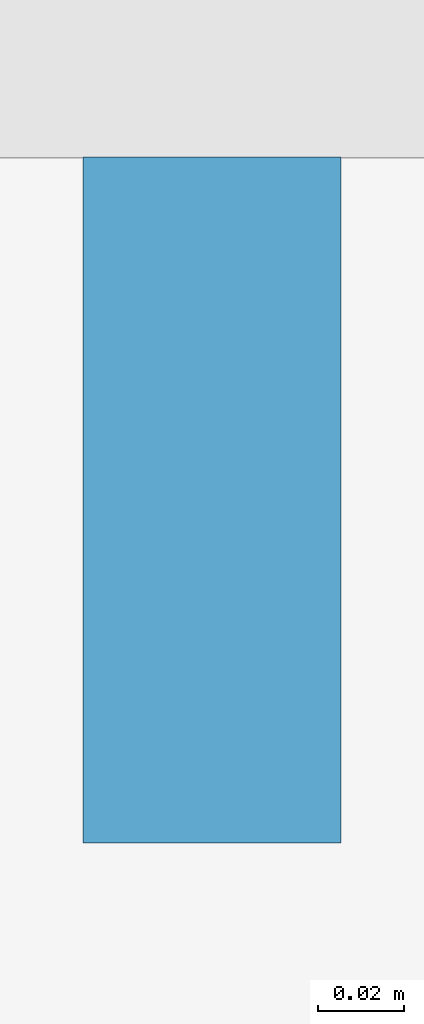
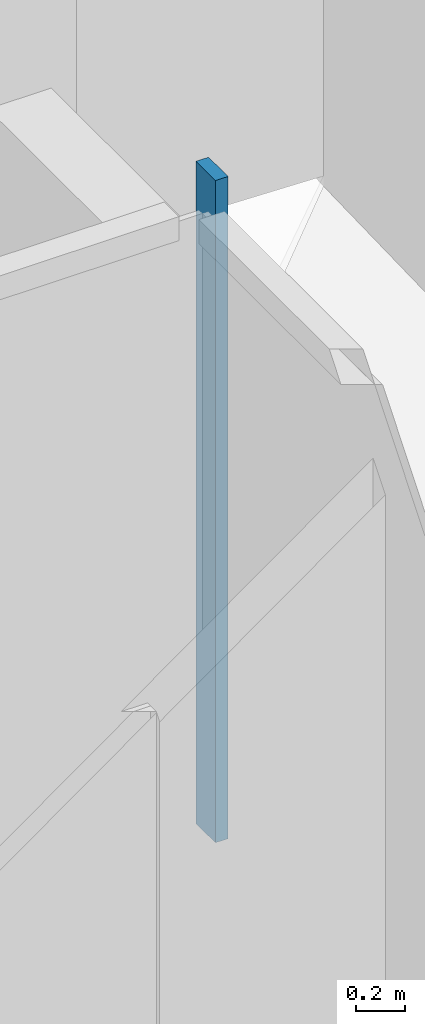
# One storey, part 12 of 27: 1 member, 1 element without a shape of its own.
"""IFC4 building model written with IfcOpenShell, lengths in metres."""

from ifc_helpers import new_model, si_unit, direction, frame, origin, origin_2d, place, context, subcontext, project, spatial, rectangle, extrude, material, material_profile, profile_set, type_object, element, aggregate, save


model = new_model("IFC4")

# Units and contexts
model_context = context("Model", 3, precision=1e-05, world=origin(), true_north=direction((0.0, 1.0)))
body_context = subcontext(model_context, "Body", "Model", "MODEL_VIEW")
ifc_project = project(units=[si_unit("LENGTHUNIT", "METRE"), si_unit("AREAUNIT", "SQUARE_METRE"), si_unit("VOLUMEUNIT", "CUBIC_METRE"), si_unit("PLANEANGLEUNIT", "RADIAN"), si_unit("MASSUNIT", "GRAM", prefix="KILO")], contexts=[model_context])

# Site, building, storey
site_placement = place(None, origin())
site = spatial("IfcSite", under=ifc_project, at=site_placement, CompositionType="ELEMENT")
building_placement = place(site_placement, origin())
building = spatial("IfcBuilding", under=site, at=building_placement, Name="Saffron Gate Tower", CompositionType="ELEMENT")
storey_placement = place(building_placement, frame((0.0, 0.0, 274.35009765625)))
storey = spatial("IfcBuildingStorey", under=building, at=storey_placement, Name="L66", CompositionType="ELEMENT", Elevation=274.35009765625)

# Curtain wall, member
ifc_material = material(Name="Aluminium, bronze anodised", Category="aluminium")
curtain_wall_type = type_object("IfcCurtainWallType", Name="CWS4 curtain wall corner returns", PredefinedType="NOTDEFINED", material=ifc_material)
curtain_wall_placement = place(storey_placement, origin())
curtain_wall = element("IfcCurtainWall", 1, at=curtain_wall_placement, inside=storey, type_object=curtain_wall_type, Name="CWS4 run 5", PredefinedType="NOTDEFINED")
ifc_material_profile = material_profile(ifc_material, rectangle(XDim=0.159912109375, YDim=0.06005859375, at=origin_2d()))
ifc_profile_set = profile_set([ifc_material_profile], Name="Aluminium, bronze anodised")
member_type = type_object("IfcMemberType", Name="CWS4 mullion 60x160", PredefinedType="MULLION", material=ifc_profile_set)
member_placement = place(storey_placement, frame((118.719970703125, 71.320068359375, 0.0), z_axis=(0.0, 0.0, 1.0), x_axis=(0.0, -1.0, 0.0)))
member = element("IfcMember", 2, at=member_placement, type_object=member_type, Name="CWS4 mullion 1", PredefinedType="MULLION", context=body_context, shape_type="SweptSolid", body=[
    extrude(rectangle(XDim=0.159912109375, YDim=0.06005859375, at=origin_2d()), origin(), (0.0, 0.0, 1.0), 3.31982421875),
])
aggregate(curtain_wall, [member])

save(model, "model.ifc")
